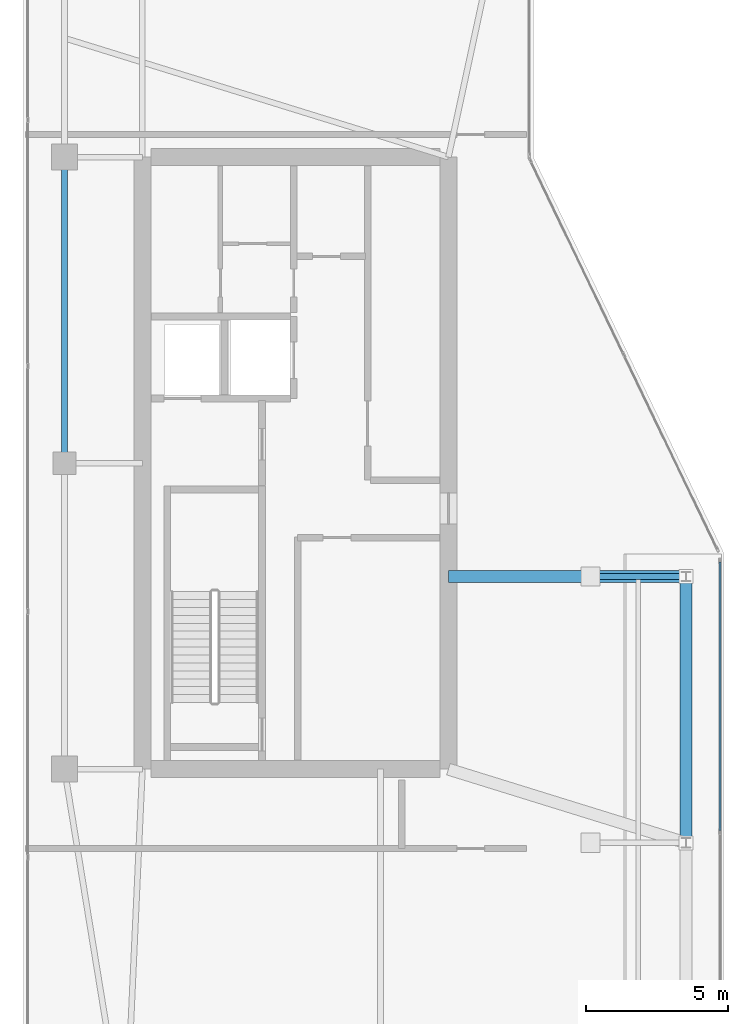
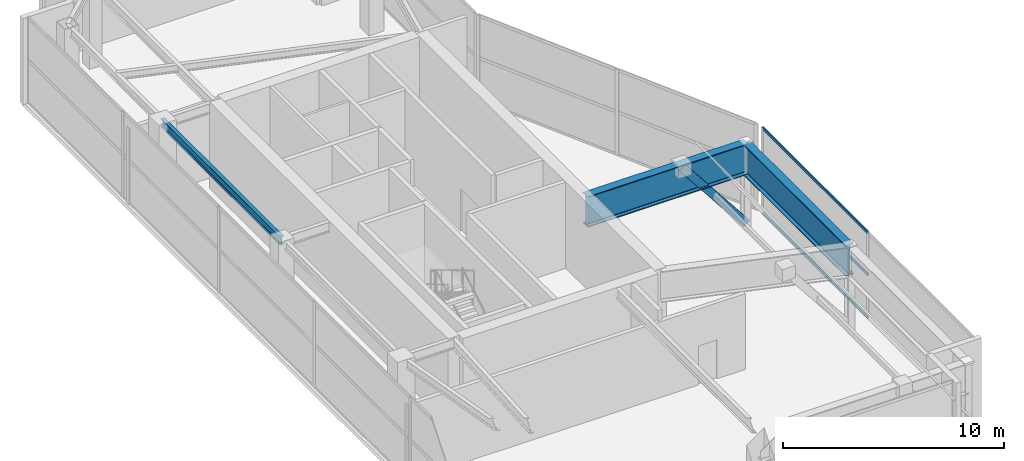
# One storey, part 10 of 20: 4 beams, 3 members, 1 element without a shape of its own.
"""IFC4 building model written with IfcOpenShell, lengths in metres."""

from ifc_helpers import new_model, si_unit, direction, frame, origin, origin_2d, place, context, subcontext, project, spatial, hollow_rectangle, i_section, extrude, material, layer, layer_set, material_profile, profile_set, type_object, element, aggregate, save


model = new_model("IFC4")

# Units and contexts
model_context = context("Model", 3, precision=1e-05, world=origin(), true_north=direction((0.0, 1.0)))
body_context = subcontext(model_context, "Body", "Model", "MODEL_VIEW")
ifc_project = project(units=[si_unit("LENGTHUNIT", "METRE"), si_unit("AREAUNIT", "SQUARE_METRE"), si_unit("VOLUMEUNIT", "CUBIC_METRE"), si_unit("PLANEANGLEUNIT", "RADIAN"), si_unit("MASSUNIT", "GRAM", prefix="KILO")], contexts=[model_context])

# Site, building, storey
site_placement = place(None, origin())
site = spatial("IfcSite", under=ifc_project, at=site_placement, CompositionType="ELEMENT")
building_placement = place(site_placement, origin())
building = spatial("IfcBuilding", under=site, at=building_placement, Name="Calvorn Quay Hotel", CompositionType="ELEMENT")
storey_placement = place(building_placement, frame((0.0, 0.0, 335.5)))
storey = spatial("IfcBuildingStorey", under=building, at=storey_placement, Name="L82", CompositionType="ELEMENT", Elevation=335.5)

# Beams
ifc_material_1 = material(Name="Steel Q355B", Category="steel")
ifc_material_profile_1 = material_profile(ifc_material_1, hollow_rectangle(XDim=0.199951171875, YDim=0.39990234375, WallThickness=0.013916015625, at=origin_2d()), Name="RHS400x200x14")
ifc_profile_set_1 = profile_set([ifc_material_profile_1], Name="Steel Q355B")
beam_type_1 = type_object("IfcBeamType", Name="BM-CRN-RAFTER", PredefinedType="BEAM", material=ifc_profile_set_1)
beam_1_placement = place(storey_placement, frame((23.383056640625, 23.60009765625, 0.25), z_axis=(-0.619962077242, 0.0, 0.784631775281), x_axis=(0.0, -1.0, 0.0)))
element("IfcBeam", 1, at=beam_1_placement, inside=storey, type_object=beam_type_1, Name="Crown Raking Rafter L82-3", PredefinedType="BEAM", context=body_context, shape_type="SweptSolid", body=[
    extrude(hollow_rectangle(XDim=0.199951171875, YDim=0.39990234375, WallThickness=0.013916015625, at=origin_2d()), origin(), (0.0, 0.0, 1.0), 5.42919921875),
])
ifc_material_2 = material(Name="Steel Q355B", Category="steel")
ifc_material_profile_2 = material_profile(ifc_material_2, i_section(OverallWidth=0.199951171875, OverallDepth=0.449951171875, WebThickness=0.009033203125, FlangeThickness=0.013916015625, FilletRadius=0.01611328125, at=origin_2d()), Name="HN450x200x9x14")
ifc_profile_set_2 = profile_set([ifc_material_profile_2], Name="Steel Q355B")
beam_type_2 = type_object("IfcBeamType", Name="BM-SPANDREL-Z3", PredefinedType="SPANDREL", material=ifc_profile_set_2)
beam_2_placement = place(storey_placement, frame((1.449951171875, 27.60009765625, 4.514892578125), z_axis=(0.0, 1.0, 0.0), x_axis=(-1.0, 0.0, 0.0)))
element("IfcBeam", 2, at=beam_2_placement, inside=storey, type_object=beam_type_2, Name="Beam BSP-L82-W3", PredefinedType="SPANDREL", context=body_context, shape_type="SweptSolid", body=[
    extrude(i_section(OverallWidth=0.199951171875, OverallDepth=0.449951171875, WebThickness=0.009033203125, FlangeThickness=0.013916015625, FilletRadius=0.01611328125, at=origin_2d()), origin(), (0.0, 0.0, 1.0), 10.7998046875),
])
ifc_material_3 = material(Name="Steel Q420GJC", Category="steel")
ifc_material_profile_3 = material_profile(ifc_material_3, i_section(OverallWidth=0.419921875, OverallDepth=1.699951171875, WebThickness=0.02392578125, FlangeThickness=0.0419921875, FilletRadius=0.02392578125, at=origin_2d()), Name="HN1700x420x24x42")
ifc_profile_set_3 = profile_set([ifc_material_profile_3], Name="Steel Q420GJC")
beam_type_3 = type_object("IfcBeamType", Name="BM-XFER-SAWTOOTH", PredefinedType="BEAM", material=ifc_profile_set_3)
beam_3_placement = place(storey_placement, frame((15.0, 23.60009765625, 3.889892578125), z_axis=(1.0, 0.0, 0.0), x_axis=(0.0, 1.0, 0.0)))
element("IfcBeam", 3, at=beam_3_placement, inside=storey, type_object=beam_type_3, Name="Beam BTG-L82-C-CR3", PredefinedType="BEAM", context=body_context, shape_type="SweptSolid", body=[
    extrude(i_section(OverallWidth=0.419921875, OverallDepth=1.699951171875, WebThickness=0.02392578125, FlangeThickness=0.0419921875, FilletRadius=0.02392578125, at=origin_2d()), origin(), (0.0, 0.0, 1.0), 8.383056640625),
])
beam_4_placement = place(storey_placement, frame((23.383056640625, 14.199951171875, 3.889892578125), z_axis=(0.0, 1.0, 0.0), x_axis=(-1.0, 0.0, 0.0)))
element("IfcBeam", 4, at=beam_4_placement, inside=storey, type_object=beam_type_3, Name="Beam BTG-L82-CE2", PredefinedType="BEAM", context=body_context, shape_type="SweptSolid", body=[
    extrude(i_section(OverallWidth=0.419921875, OverallDepth=1.699951171875, WebThickness=0.02392578125, FlangeThickness=0.0419921875, FilletRadius=0.02392578125, at=origin_2d()), origin(), (0.0, 0.0, 1.0), 9.400146484375),
])

# Curtain wall, members
ifc_material_4 = material(Name="Pale Anodised Aluminium and Laminated Glass", Category="aluminium")
ifc_layer = layer(ifc_material_4, 0.219970703125)
ifc_layer_set = layer_set([ifc_layer], Name="CW-SYS-CRN")
curtain_wall_type = type_object("IfcCurtainWallType", Name="CW-SYS-CRN", PredefinedType="NOTDEFINED", material=ifc_layer_set)
curtain_wall_placement = place(storey_placement, origin())
curtain_wall = element("IfcCurtainWall", 5, at=curtain_wall_placement, inside=storey, type_object=curtain_wall_type, Name="Crown Curtain Wall L82-C2", PredefinedType="NOTDEFINED")
ifc_material_5 = material(Name="Pale Anodised Aluminium 6063-T6", Category="aluminium")
ifc_material_profile_4 = material_profile(ifc_material_5, hollow_rectangle(XDim=0.06201171875, YDim=0.159912109375, WallThickness=0.00341796875, at=origin_2d()), Name="ALU-T160x62x3.5")
ifc_profile_set_4 = profile_set([ifc_material_profile_4], Name="Pale Anodised Aluminium 6063-T6")
member_type = type_object("IfcMemberType", Name="CW-SYS-CRN-TRN", PredefinedType="USERDEFINED", material=ifc_profile_set_4)
member_1_placement = place(storey_placement, frame((24.5830078125, 14.6298828125, 0.030029296875), z_axis=(0.0, 1.0, 0.0), x_axis=(-1.0, 0.0, 0.0)))
member_1 = element("IfcMember", 6, at=member_1_placement, type_object=member_type, Name="CW-L82-C2 transom 2.1", ObjectType="TRANSOM", PredefinedType="USERDEFINED", context=body_context, shape_type="SweptSolid", body=[
    extrude(hollow_rectangle(XDim=0.06201171875, YDim=0.159912109375, WallThickness=0.00341796875, at=origin_2d()), origin(), (0.0, 0.0, 1.0), 9.490234375),
])
member_2_placement = place(storey_placement, frame((24.5830078125, 14.6298828125, 2.39990234375), z_axis=(0.0, 1.0, 0.0), x_axis=(-1.0, 0.0, 0.0)))
member_2 = element("IfcMember", 7, at=member_2_placement, type_object=member_type, Name="CW-L82-C2 transom 2.2", ObjectType="TRANSOM", PredefinedType="USERDEFINED", context=body_context, shape_type="SweptSolid", body=[
    extrude(hollow_rectangle(XDim=0.06201171875, YDim=0.159912109375, WallThickness=0.00341796875, at=origin_2d()), origin(), (0.0, 0.0, 1.0), 9.490234375),
])
member_3_placement = place(storey_placement, frame((24.5830078125, 14.6298828125, 4.72998046875), z_axis=(0.0, 1.0, 0.0), x_axis=(-1.0, 0.0, 0.0)))
member_3 = element("IfcMember", 8, at=member_3_placement, type_object=member_type, Name="CW-L82-C2 transom 2.3", ObjectType="TRANSOM", PredefinedType="USERDEFINED", context=body_context, shape_type="SweptSolid", body=[
    extrude(hollow_rectangle(XDim=0.06201171875, YDim=0.159912109375, WallThickness=0.00341796875, at=origin_2d()), origin(), (0.0, 0.0, 1.0), 9.490234375),
])
aggregate(curtain_wall, [member_1, member_2, member_3])

save(model, "model.ifc")
